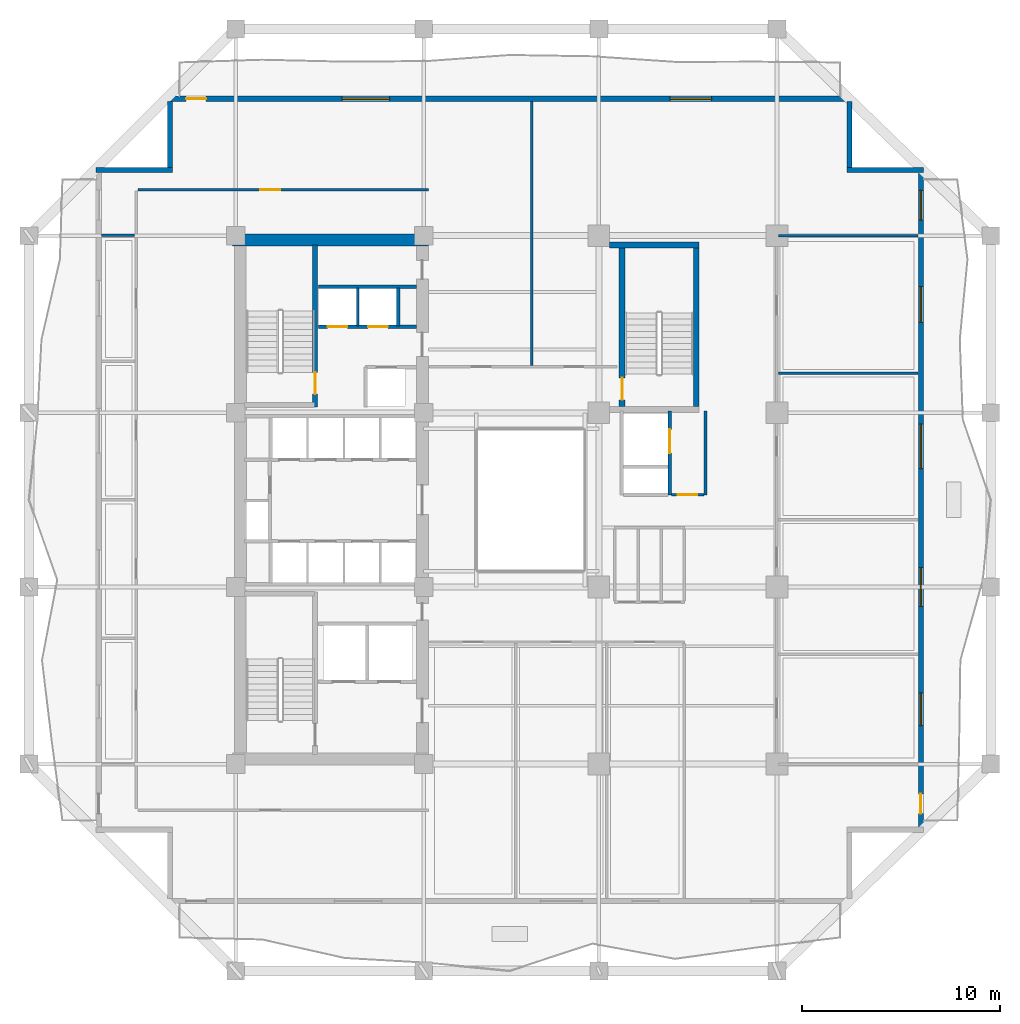
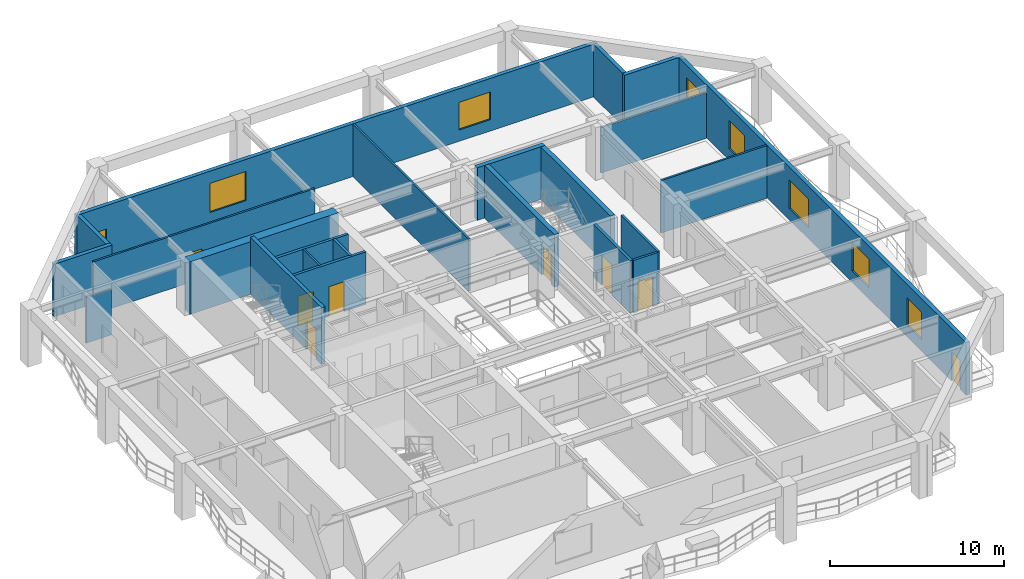
# One storey, part 5 of 11: 23 walls, 9 doors, 7 windows, 16 openings.
"""IFC4 building model written with IfcOpenShell, lengths in metres."""

from ifc_helpers import new_model, si_unit, direction, frame, frame_2d, origin, place, context, subcontext, project, spatial, rectangle, extrude, material, layer, layer_set, type_object, element, fill, save


model = new_model("IFC4")

# Units and contexts
model_context = context("Model", 3, precision=1e-05, world=origin(), true_north=direction((0.0, 1.0)))
body_context = subcontext(model_context, "Body", "Model", "MODEL_VIEW")
ifc_project = project(units=[si_unit("LENGTHUNIT", "METRE"), si_unit("AREAUNIT", "SQUARE_METRE"), si_unit("VOLUMEUNIT", "CUBIC_METRE"), si_unit("PLANEANGLEUNIT", "RADIAN"), si_unit("MASSUNIT", "GRAM", prefix="KILO")], contexts=[model_context])

# Site, building, storey
site_placement = place(None, origin())
site = spatial("IfcSite", under=ifc_project, at=site_placement, CompositionType="ELEMENT")
building_placement = place(site_placement, origin())
building = spatial("IfcBuilding", under=site, at=building_placement, Name="Kundavana Baori Tower", CompositionType="ELEMENT")
storey_placement = place(building_placement, frame((0.0, 0.0, 90.0)))
storey = spatial("IfcBuildingStorey", under=building, at=storey_placement, Name="L21", CompositionType="ELEMENT", Elevation=90.0)

# Wall, opening, door
ifc_material_1 = material(Name="Concrete C50/60", Category="concrete")
ifc_layer_1 = layer(ifc_material_1, 0.39990234375, Name="WL-CORE-400")
ifc_layer_set_1 = layer_set([ifc_layer_1], Name="Concrete C50/60")
wall_type_1 = type_object("IfcWallType", Name="WL-CORE-400", PredefinedType="SHEAR", material=ifc_layer_set_1)
wall_1_placement = place(storey_placement, frame((19.4599609375, 33.300048828125, 0.0), z_axis=(0.0, 0.0, 1.0), x_axis=(0.0, 1.0, 0.0)))
wall_1 = element("IfcWall", 1, at=wall_1_placement, inside=storey, type_object=wall_type_1, Name="WL-L21-ST2-E", PredefinedType="SHEAR", context=body_context, shape_type="SweptSolid", body=[
    extrude(rectangle(XDim=8.179931640625, YDim=0.239990234375, at=frame_2d((4.08984375, 0.0))), origin(), (0.0, 0.0, 1.0), 4.0),
])
opening_1_placement = place(wall_1_placement, frame((0.64990234375, 0.0, 0.0)))
opening_1 = element("IfcOpeningElement", 2, at=opening_1_placement, cuts=wall_1, Name="Opening FD-110", PredefinedType="OPENING", context=body_context, shape_type="SweptSolid", body=[
    extrude(rectangle(XDim=1.10009765625, YDim=2.10009765625, at=frame_2d((0.550048828125, 1.050048828125))), frame((0.0, 0.1298828125, 0.0), z_axis=(0.0, -1.0, 0.0), x_axis=(1.0, 0.0, 0.0)), (0.0, 0.0, 1.0), 0.260009765625),
])
ifc_material_2 = material(Name="Galvanised Steel Fire-Rated Door Leaf", Category="steel")
door_type_1 = type_object("IfcDoorType", Name="DR-FD120-1100", OperationType="NOTDEFINED", PredefinedType="DOOR", material=ifc_material_2)
door_1_placement = place(opening_1_placement, origin())
door_1 = element("IfcDoor", 3, at=door_1_placement, inside=storey, type_object=door_type_1, Name="DR-L21-ST2", OperationType="SINGLE_SWING_RIGHT", OverallHeight=2.10009765625, OverallWidth=1.10009765625, PredefinedType="DOOR", context=body_context, shape_type="SweptSolid", body=[
    extrude(rectangle(XDim=1.10009765625, YDim=2.10009765625, at=frame_2d((0.550048828125, 1.050048828125))), frame((0.0, 0.02490234375, 0.0), z_axis=(0.0, -1.0, 0.0), x_axis=(1.0, 0.0, 0.0)), (0.0, 0.0, 1.0), 0.050048828125),
])
fill(opening_1, door_1)

# Wall
ifc_material_3 = material(Name="Concrete C60/75", Category="concrete")
ifc_layer_2 = layer(ifc_material_3, 0.60009765625, Name="WL-CORE-600")
ifc_layer_set_2 = layer_set([ifc_layer_2], Name="Concrete C60/75")
wall_type_2 = type_object("IfcWallType", Name="WL-CORE-600", PredefinedType="SHEAR", material=ifc_layer_set_2)
wall_2_placement = place(storey_placement, frame((15.300048828125, 41.739990234375, 0.0), z_axis=(0.0, 0.0, 1.0), x_axis=(1.0, 0.0, 0.0)))
element("IfcWall", 4, at=wall_2_placement, inside=storey, type_object=wall_type_2, Name="L21 Offset Core North Shear Wall", PredefinedType="SHEAR", context=body_context, shape_type="SweptSolid", body=[
    extrude(rectangle(XDim=9.8798828125, YDim=0.60009765625, at=frame_2d((4.93994140625, 0.0))), origin(), (0.0, 0.0, 1.0), 3.699951171875),
])

# Wall, openings, door, windows
ifc_material_4 = material(Name="Kiln-Fired Terracotta Brick-Slip Masonry on Concrete C40/50", Category="masonry")
ifc_layer_3 = layer(ifc_material_4, 0.260009765625, Name="WL-EXT-BRK-260")
ifc_layer_set_3 = layer_set([ifc_layer_3], Name="Kiln-Fired Terracotta Brick-Slip Masonry on Concrete C40/50")
wall_type_3 = type_object("IfcWallType", Name="WL-EXT-BRK-260", PredefinedType="SOLIDWALL", material=ifc_layer_set_3)
wall_3_placement = place(storey_placement, frame((50.070068359375, 12.06005859375, 0.0), z_axis=(0.0, 0.0, 1.0), x_axis=(0.0, 1.0, 0.0)))
wall_3 = element("IfcWall", 5, at=wall_3_placement, inside=storey, type_object=wall_type_3, Name="L21 Exterior Insulated Facade Wall 04", PredefinedType="SOLIDWALL", context=body_context, shape_type="SweptSolid", body=[
    extrude(rectangle(XDim=33.079833984375, YDim=0.260009765625, at=frame_2d((16.5400390625, 0.0))), origin(), (0.0, 0.0, 1.0), 3.699951171875),
])
opening_2_placement = place(wall_3_placement, frame((0.68994140625, 0.0, 0.0)))
opening_2 = element("IfcOpeningElement", 6, at=opening_2_placement, cuts=wall_3, Name="Opening BD-1", PredefinedType="OPENING", context=body_context, shape_type="SweptSolid", body=[
    extrude(rectangle(XDim=1.0, YDim=2.050048828125, at=frame_2d((0.5, 1.02490234375))), frame((0.0, 0.14013671875, 0.0), z_axis=(0.0, -1.0, 0.0), x_axis=(1.0, 0.0, 0.0)), (0.0, 0.0, 1.0), 0.280029296875),
])
opening_3_placement = place(wall_3_placement, frame((5.139892578125, 0.0, 0.800048828125)))
opening_3 = element("IfcOpeningElement", 7, at=opening_3_placement, cuts=wall_3, Name="Opening W-08", PredefinedType="OPENING", context=body_context, shape_type="SweptSolid", body=[
    extrude(rectangle(XDim=1.64990234375, YDim=1.949951171875, at=frame_2d((0.824951171875, 0.97509765625))), frame((0.0, 0.14013671875, 0.0), z_axis=(0.0, -1.0, 0.0), x_axis=(1.0, 0.0, 0.0)), (0.0, 0.0, 1.0), 0.280029296875),
])
opening_4_placement = place(wall_3_placement, frame((11.1650390625, 0.0, 0.800048828125)))
opening_4 = element("IfcOpeningElement", 8, at=opening_4_placement, cuts=wall_3, Name="Opening W-09", PredefinedType="OPENING", context=body_context, shape_type="SweptSolid", body=[
    extrude(rectangle(XDim=1.949951171875, YDim=2.0, at=frame_2d((0.97509765625, 1.0))), frame((0.0, 0.14013671875, 0.0), z_axis=(0.0, -1.0, 0.0), x_axis=(1.0, 0.0, 0.0)), (0.0, 0.0, 1.0), 0.280029296875),
])
opening_5_placement = place(wall_3_placement, frame((18.114990234375, 0.0, 0.800048828125)))
opening_5 = element("IfcOpeningElement", 9, at=opening_5_placement, cuts=wall_3, Name="Opening W-10", PredefinedType="OPENING", context=body_context, shape_type="SweptSolid", body=[
    extrude(rectangle(XDim=2.25, YDim=2.0, at=frame_2d((1.125, 1.0))), frame((0.0, 0.14013671875, 0.0), z_axis=(0.0, -1.0, 0.0), x_axis=(1.0, 0.0, 0.0)), (0.0, 0.0, 1.0), 0.280029296875),
])
opening_6_placement = place(wall_3_placement, frame((25.514892578125, 0.0, 0.800048828125)))
opening_6 = element("IfcOpeningElement", 10, at=opening_6_placement, cuts=wall_3, Name="Opening W-01", PredefinedType="OPENING", context=body_context, shape_type="SweptSolid", body=[
    extrude(rectangle(XDim=1.800048828125, YDim=2.0, at=frame_2d((0.89990234375, 1.0))), frame((0.0, 0.14013671875, 0.0), z_axis=(0.0, -1.0, 0.0), x_axis=(1.0, 0.0, 0.0)), (0.0, 0.0, 1.0), 0.280029296875),
])
opening_7_placement = place(wall_3_placement, frame((30.679931640625, 0.0, 0.800048828125)))
opening_7 = element("IfcOpeningElement", 11, at=opening_7_placement, cuts=wall_3, Name="Opening W-02", PredefinedType="OPENING", context=body_context, shape_type="SweptSolid", body=[
    extrude(rectangle(XDim=1.5, YDim=2.0, at=frame_2d((0.75, 1.0))), frame((0.0, 0.14013671875, 0.0), z_axis=(0.0, -1.0, 0.0), x_axis=(1.0, 0.0, 0.0)), (0.0, 0.0, 1.0), 0.280029296875),
])
ifc_material_5 = material(Name="Architectural Patinated Bronze Metalwork")
door_type_2 = type_object("IfcDoorType", Name="DR-EXT-LOG-1000", OperationType="NOTDEFINED", PredefinedType="DOOR", material=ifc_material_5)
door_2_placement = place(opening_2_placement, frame((1.0, 0.0, 0.0), z_axis=(0.0, 0.0, 1.0), x_axis=(-1.0, 0.0, 0.0)))
door_2 = element("IfcDoor", 12, at=door_2_placement, inside=storey, type_object=door_type_2, Name="L21 Loggia Balcony Access Door E", OperationType="SINGLE_SWING_RIGHT", OverallHeight=2.050048828125, OverallWidth=1.0, PredefinedType="DOOR", context=body_context, shape_type="SweptSolid", body=[
    extrude(rectangle(XDim=1.0, YDim=2.050048828125, at=frame_2d((0.5, 1.02490234375))), frame((0.0, 0.02490234375, 0.0), z_axis=(0.0, -1.0, 0.0), x_axis=(1.0, 0.0, 0.0)), (0.0, 0.0, 1.0), 0.050048828125),
])
fill(opening_2, door_2)
ifc_material_6 = material(Name="Double-Glazed Solar-Control Low-E Insulated Glass", Category="glass")
window_type_1 = type_object("IfcWindowType", Name="WIN-LOG-1500x2000", PartitioningType="SINGLE_PANEL", PredefinedType="WINDOW", material=ifc_material_6)
window_1_placement = place(opening_7_placement, origin())
window_1 = element("IfcWindow", 13, at=window_1_placement, inside=storey, type_object=window_type_1, Name="L21 Recessed Loggia Window E-6", OverallHeight=2.0, OverallWidth=1.5, PartitioningType="SINGLE_PANEL", PredefinedType="WINDOW", context=body_context, shape_type="SweptSolid", body=[
    extrude(rectangle(XDim=1.5, YDim=2.0, at=frame_2d((0.75, 1.0))), frame((0.0, 0.030029296875, 0.0), z_axis=(0.0, -1.0, 0.0), x_axis=(1.0, 0.0, 0.0)), (0.0, 0.0, 1.0), 0.06005859375),
])
fill(opening_7, window_1)
ifc_material_7 = material(Name="Double-Glazed Solar-Control Low-E Insulated Glass", Category="glass")
window_type_2 = type_object("IfcWindowType", Name="WIN-LOG-1650x1950", PartitioningType="SINGLE_PANEL", PredefinedType="WINDOW", material=ifc_material_7)
window_2_placement = place(opening_3_placement, origin())
window_2 = element("IfcWindow", 14, at=window_2_placement, inside=storey, type_object=window_type_2, Name="L21 Recessed Loggia Window E-2", OverallHeight=1.949951171875, OverallWidth=1.64990234375, PartitioningType="SINGLE_PANEL", PredefinedType="WINDOW", context=body_context, shape_type="SweptSolid", body=[
    extrude(rectangle(XDim=1.64990234375, YDim=1.949951171875, at=frame_2d((0.824951171875, 0.97509765625))), frame((0.0, 0.030029296875, 0.0), z_axis=(0.0, -1.0, 0.0), x_axis=(1.0, 0.0, 0.0)), (0.0, 0.0, 1.0), 0.06005859375),
])
fill(opening_3, window_2)
ifc_material_8 = material(Name="Double-Glazed Solar-Control Low-E Insulated Glass", Category="glass")
window_type_3 = type_object("IfcWindowType", Name="WIN-LOG-1800x2000", PartitioningType="SINGLE_PANEL", PredefinedType="WINDOW", material=ifc_material_8)
window_3_placement = place(opening_6_placement, origin())
window_3 = element("IfcWindow", 15, at=window_3_placement, inside=storey, type_object=window_type_3, Name="L21 Recessed Loggia Window E-5", OverallHeight=2.0, OverallWidth=1.800048828125, PartitioningType="SINGLE_PANEL", PredefinedType="WINDOW", context=body_context, shape_type="SweptSolid", body=[
    extrude(rectangle(XDim=1.800048828125, YDim=2.0, at=frame_2d((0.89990234375, 1.0))), frame((0.0, 0.030029296875, 0.0), z_axis=(0.0, -1.0, 0.0), x_axis=(1.0, 0.0, 0.0)), (0.0, 0.0, 1.0), 0.06005859375),
])
fill(opening_6, window_3)
ifc_material_9 = material(Name="Double-Glazed Solar-Control Low-E Insulated Glass", Category="glass")
window_type_4 = type_object("IfcWindowType", Name="WIN-LOG-1950x2000", PartitioningType="SINGLE_PANEL", PredefinedType="WINDOW", material=ifc_material_9)
window_4_placement = place(opening_4_placement, origin())
window_4 = element("IfcWindow", 16, at=window_4_placement, inside=storey, type_object=window_type_4, Name="L21 Recessed Loggia Window E-3", OverallHeight=2.0, OverallWidth=1.949951171875, PartitioningType="SINGLE_PANEL", PredefinedType="WINDOW", context=body_context, shape_type="SweptSolid", body=[
    extrude(rectangle(XDim=1.949951171875, YDim=2.0, at=frame_2d((0.97509765625, 1.0))), frame((0.0, 0.030029296875, 0.0), z_axis=(0.0, -1.0, 0.0), x_axis=(1.0, 0.0, 0.0)), (0.0, 0.0, 1.0), 0.06005859375),
])
fill(opening_4, window_4)
ifc_material_10 = material(Name="Double-Glazed Solar-Control Low-E Insulated Glass", Category="glass")
window_type_5 = type_object("IfcWindowType", Name="WIN-LOG-2250x2000", PartitioningType="SINGLE_PANEL", PredefinedType="WINDOW", material=ifc_material_10)
window_5_placement = place(opening_5_placement, origin())
window_5 = element("IfcWindow", 17, at=window_5_placement, inside=storey, type_object=window_type_5, Name="L21 Recessed Loggia Window E-4", OverallHeight=2.0, OverallWidth=2.25, PartitioningType="SINGLE_PANEL", PredefinedType="WINDOW", context=body_context, shape_type="SweptSolid", body=[
    extrude(rectangle(XDim=2.25, YDim=2.0, at=frame_2d((1.125, 1.0))), frame((0.0, 0.030029296875, 0.0), z_axis=(0.0, -1.0, 0.0), x_axis=(1.0, 0.0, 0.0)), (0.0, 0.0, 1.0), 0.06005859375),
])
fill(opening_5, window_5)

# Walls
wall_4_placement = place(storey_placement, frame((50.199951171875, 45.27001953125, 0.0), z_axis=(0.0, 0.0, 1.0), x_axis=(-1.0, 0.0, 0.0)))
element("IfcWall", 18, at=wall_4_placement, inside=storey, type_object=wall_type_3, Name="L21 Exterior Insulated Facade Wall 05", PredefinedType="SOLIDWALL", context=body_context, shape_type="SweptSolid", body=[
    extrude(rectangle(XDim=3.85986328125, YDim=0.260009765625, at=frame_2d((1.929931640625, 0.0))), origin(), (0.0, 0.0, 1.0), 3.699951171875),
])
wall_5_placement = place(storey_placement, frame((46.469970703125, 45.39990234375, 0.0), z_axis=(0.0, 0.0, 1.0), x_axis=(0.0, 1.0, 0.0)))
element("IfcWall", 19, at=wall_5_placement, inside=storey, type_object=wall_type_3, Name="L21 Exterior Insulated Facade Wall 06", PredefinedType="SOLIDWALL", context=body_context, shape_type="SweptSolid", body=[
    extrude(rectangle(XDim=3.340087890625, YDim=0.260009765625, at=frame_2d((1.669921875, 0.0))), origin(), (0.0, 0.0, 1.0), 3.699951171875),
])

# Wall, openings, door, windows
wall_6_placement = place(storey_placement, frame((46.60009765625, 48.8701171875, 0.0), z_axis=(0.0, 0.0, 1.0), x_axis=(-1.0, 0.0, 0.0)))
wall_6 = element("IfcWall", 20, at=wall_6_placement, inside=storey, type_object=wall_type_3, Name="L21 Exterior Insulated Facade Wall 07", PredefinedType="SOLIDWALL", context=body_context, shape_type="SweptSolid", body=[
    extrude(rectangle(XDim=34.60009765625, YDim=0.260009765625, at=frame_2d((17.300048828125, 0.0))), origin(), (0.0, 0.0, 1.0), 3.699951171875),
])
opening_8_placement = place(wall_6_placement, frame((32.64990234375, 0.0, 0.0)))
opening_8 = element("IfcOpeningElement", 21, at=opening_8_placement, cuts=wall_6, Name="Opening BD-1", PredefinedType="OPENING", context=body_context, shape_type="SweptSolid", body=[
    extrude(rectangle(XDim=1.0, YDim=2.050048828125, at=frame_2d((0.5, 1.02490234375))), frame((0.0, 0.14013671875, 0.0), z_axis=(0.0, -1.0, 0.0), x_axis=(1.0, 0.0, 0.0)), (0.0, 0.0, 1.0), 0.280029296875),
])
opening_9_placement = place(wall_6_placement, frame((23.3701171875, 0.0, 0.800048828125)))
opening_9 = element("IfcOpeningElement", 22, at=opening_9_placement, cuts=wall_6, Name="Opening W-04", PredefinedType="OPENING", context=body_context, shape_type="SweptSolid", body=[
    extrude(rectangle(XDim=2.39990234375, YDim=2.050048828125, at=frame_2d((1.199951171875, 1.02490234375))), frame((0.0, 0.14013671875, 0.0), z_axis=(0.0, -1.0, 0.0), x_axis=(1.0, 0.0, 0.0)), (0.0, 0.0, 1.0), 0.280029296875),
])
opening_10_placement = place(wall_6_placement, frame((7.10498046875, 0.0, 0.800048828125)))
opening_10 = element("IfcOpeningElement", 23, at=opening_10_placement, cuts=wall_6, Name="Opening W-05", PredefinedType="OPENING", context=body_context, shape_type="SweptSolid", body=[
    extrude(rectangle(XDim=2.10009765625, YDim=1.949951171875, at=frame_2d((1.050048828125, 0.97509765625))), frame((0.0, 0.14013671875, 0.0), z_axis=(0.0, -1.0, 0.0), x_axis=(1.0, 0.0, 0.0)), (0.0, 0.0, 1.0), 0.280029296875),
])
door_3_placement = place(opening_8_placement, frame((1.0, 0.0, 0.0), z_axis=(0.0, 0.0, 1.0), x_axis=(-1.0, 0.0, 0.0)))
door_3 = element("IfcDoor", 24, at=door_3_placement, inside=storey, type_object=door_type_2, Name="L21 Loggia Balcony Access Door N", OperationType="SINGLE_SWING_LEFT", OverallHeight=2.050048828125, OverallWidth=1.0, PredefinedType="DOOR", context=body_context, shape_type="SweptSolid", body=[
    extrude(rectangle(XDim=1.0, YDim=2.050048828125, at=frame_2d((0.5, 1.02490234375))), frame((0.0, 0.02490234375, 0.0), z_axis=(0.0, -1.0, 0.0), x_axis=(1.0, 0.0, 0.0)), (0.0, 0.0, 1.0), 0.050048828125),
])
fill(opening_8, door_3)
ifc_material_11 = material(Name="Double-Glazed Solar-Control Low-E Insulated Glass", Category="glass")
window_type_6 = type_object("IfcWindowType", Name="WIN-LOG-2100x1950", PartitioningType="SINGLE_PANEL", PredefinedType="WINDOW", material=ifc_material_11)
window_6_placement = place(opening_10_placement, origin())
window_6 = element("IfcWindow", 25, at=window_6_placement, inside=storey, type_object=window_type_6, Name="L21 Recessed Loggia Window N-2", OverallHeight=1.949951171875, OverallWidth=2.10009765625, PartitioningType="SINGLE_PANEL", PredefinedType="WINDOW", context=body_context, shape_type="SweptSolid", body=[
    extrude(rectangle(XDim=2.10009765625, YDim=1.949951171875, at=frame_2d((1.050048828125, 0.97509765625))), frame((0.0, 0.030029296875, 0.0), z_axis=(0.0, -1.0, 0.0), x_axis=(1.0, 0.0, 0.0)), (0.0, 0.0, 1.0), 0.06005859375),
])
fill(opening_10, window_6)
ifc_material_12 = material(Name="Double-Glazed Solar-Control Low-E Insulated Glass", Category="glass")
window_type_7 = type_object("IfcWindowType", Name="WIN-LOG-2400x2050", PartitioningType="SINGLE_PANEL", PredefinedType="WINDOW", material=ifc_material_12)
window_7_placement = place(opening_9_placement, origin())
window_7 = element("IfcWindow", 26, at=window_7_placement, inside=storey, type_object=window_type_7, Name="L21 Recessed Loggia Window N-1", OverallHeight=2.050048828125, OverallWidth=2.39990234375, PartitioningType="SINGLE_PANEL", PredefinedType="WINDOW", context=body_context, shape_type="SweptSolid", body=[
    extrude(rectangle(XDim=2.39990234375, YDim=2.050048828125, at=frame_2d((1.199951171875, 1.02490234375))), frame((0.0, 0.030029296875, 0.0), z_axis=(0.0, -1.0, 0.0), x_axis=(1.0, 0.0, 0.0)), (0.0, 0.0, 1.0), 0.06005859375),
])
fill(opening_9, window_7)

# Walls
wall_7_placement = place(storey_placement, frame((12.1298828125, 48.739990234375, 0.0), z_axis=(0.0, 0.0, 1.0), x_axis=(0.0, -1.0, 0.0)))
element("IfcWall", 27, at=wall_7_placement, inside=storey, type_object=wall_type_3, Name="L21 Exterior Insulated Facade Wall 08", PredefinedType="SOLIDWALL", context=body_context, shape_type="SweptSolid", body=[
    extrude(rectangle(XDim=3.340087890625, YDim=0.260009765625, at=frame_2d((1.669921875, 0.0))), origin(), (0.0, 0.0, 1.0), 3.699951171875),
])
wall_8_placement = place(storey_placement, frame((12.260009765625, 45.27001953125, 0.0), z_axis=(0.0, 0.0, 1.0), x_axis=(-1.0, 0.0, 0.0)))
element("IfcWall", 28, at=wall_8_placement, inside=storey, type_object=wall_type_3, Name="L21 Exterior Insulated Facade Wall 09", PredefinedType="SOLIDWALL", context=body_context, shape_type="SweptSolid", body=[
    extrude(rectangle(XDim=3.860107421875, YDim=0.260009765625, at=frame_2d((1.93017578125, 0.0))), origin(), (0.0, 0.0, 1.0), 3.699951171875),
])
ifc_material_13 = material(Name="Acoustic Gypsum Plasterboard on Galvanised Steel Studs", Category="steel")
ifc_layer_4 = layer(ifc_material_13, 0.1201171875, Name="WL-PART-120")
ifc_layer_set_4 = layer_set([ifc_layer_4], Name="Acoustic Gypsum Plasterboard on Galvanised Steel Studs")
wall_type_4 = type_object("IfcWallType", Name="WL-PART-120", PredefinedType="PARTITIONING", material=ifc_layer_set_4)
wall_9_placement = place(storey_placement, frame((21.6201171875, 37.39990234375, 0.0), z_axis=(0.0, 0.0, 1.0), x_axis=(0.0, 1.0, 0.0)))
element("IfcWall", 29, at=wall_9_placement, inside=storey, type_object=wall_type_4, Name="WL-L21-HR-DIV1", PredefinedType="PARTITIONING", context=body_context, shape_type="SweptSolid", body=[
    extrude(rectangle(XDim=1.900146484375, YDim=0.1201171875, at=frame_2d((0.9501953125, 0.0))), origin(), (0.0, 0.0, 1.0), 3.699951171875),
])
ifc_material_14 = material(Name="Fire-Rated Gypsum Drywall on Galvanised Steel Studs", Category="steel")
ifc_layer_5 = layer(ifc_material_14, 0.14990234375, Name="WL-PART-150")
ifc_layer_set_5 = layer_set([ifc_layer_5], Name="Fire-Rated Gypsum Drywall on Galvanised Steel Studs")
wall_type_5 = type_object("IfcWallType", Name="WL-PART-150", PredefinedType="PARTITIONING", material=ifc_layer_set_5)
wall_10_placement = place(storey_placement, frame((39.199951171875, 28.860107421875, 0.0), z_axis=(0.0, 0.0, 1.0), x_axis=(0.0, 1.0, 0.0)))
element("IfcWall", 30, at=wall_10_placement, inside=storey, type_object=wall_type_5, Name="WL-L21-SVLOB-E", PredefinedType="PARTITIONING", context=body_context, shape_type="SweptSolid", body=[
    extrude(rectangle(XDim=4.219970703125, YDim=0.14990234375, at=frame_2d((2.10986328125, 0.0))), origin(), (0.0, 0.0, 1.0), 3.699951171875),
])

# Wall, opening, door
wall_11_placement = place(storey_placement, frame((37.47998046875, 28.860107421875, 0.0), z_axis=(0.0, 0.0, 1.0), x_axis=(1.0, 0.0, 0.0)))
wall_11 = element("IfcWall", 31, at=wall_11_placement, inside=storey, type_object=wall_type_5, Name="WL-L21-SVLOB-S", PredefinedType="PARTITIONING", context=body_context, shape_type="SweptSolid", body=[
    extrude(rectangle(XDim=1.64013671875, YDim=0.14990234375, at=frame_2d((0.820068359375, 0.0))), origin(), (0.0, 0.0, 1.0), 3.699951171875),
])
opening_11_placement = place(wall_11_placement, frame((0.300048828125, 0.0, 0.0)))
opening_11 = element("IfcOpeningElement", 32, at=opening_11_placement, cuts=wall_11, Name="Opening FD-100", PredefinedType="OPENING", context=body_context, shape_type="SweptSolid", body=[
    extrude(rectangle(XDim=1.0, YDim=2.10009765625, at=frame_2d((0.5, 1.050048828125))), frame((0.0, 0.0849609375, 0.0), z_axis=(0.0, -1.0, 0.0), x_axis=(1.0, 0.0, 0.0)), (0.0, 0.0, 1.0), 0.169921875),
])
ifc_material_15 = material(Name="Engineered Teak Fire-Rated Timber Door Leaf", Category="wood")
door_type_3 = type_object("IfcDoorType", Name="DR-FD60-1000", OperationType="NOTDEFINED", PredefinedType="DOOR", material=ifc_material_15)
door_4_placement = place(opening_11_placement, origin())
door_4 = element("IfcDoor", 33, at=door_4_placement, inside=storey, type_object=door_type_3, Name="DR-L21-SVLOB-OUT", OperationType="SINGLE_SWING_LEFT", OverallHeight=2.10009765625, OverallWidth=1.0, PredefinedType="DOOR", context=body_context, shape_type="SweptSolid", body=[
    extrude(rectangle(XDim=1.0, YDim=2.10009765625, at=frame_2d((0.5, 1.050048828125))), frame((0.0, 0.02490234375, 0.0), z_axis=(0.0, -1.0, 0.0), x_axis=(1.0, 0.0, 0.0)), (0.0, 0.0, 1.0), 0.050048828125),
])
fill(opening_11, door_4)

# Wall, openings, doors
ifc_material_16 = material(Name="Autoclaved Aerated Concrete Blockwork Masonry", Category="masonry")
ifc_layer_6 = layer(ifc_material_16, 0.179931640625, Name="WL-SHAFT-180")
ifc_layer_set_6 = layer_set([ifc_layer_6], Name="Autoclaved Aerated Concrete Blockwork Masonry")
wall_type_6 = type_object("IfcWallType", Name="WL-SHAFT-180", PredefinedType="SOLIDWALL", material=ifc_layer_set_6)
wall_12_placement = place(storey_placement, frame((19.639892578125, 37.340087890625, 0.0), z_axis=(0.0, 0.0, 1.0), x_axis=(1.0, 0.0, 0.0)))
wall_12 = element("IfcWall", 34, at=wall_12_placement, inside=storey, type_object=wall_type_6, Name="WL-L21-HRLOB-N", PredefinedType="SOLIDWALL", context=body_context, shape_type="SweptSolid", body=[
    extrude(rectangle(XDim=4.940185546875, YDim=0.179931640625, at=frame_2d((2.47021484375, 0.0))), origin(), (0.0, 0.0, 1.0), 3.699951171875),
])
opening_12_placement = place(wall_12_placement, frame((0.449951171875, 0.0, 0.0)))
opening_12 = element("IfcOpeningElement", 35, at=opening_12_placement, cuts=wall_12, Name="Opening LD-100", PredefinedType="OPENING", context=body_context, shape_type="SweptSolid", body=[
    extrude(rectangle(XDim=1.0, YDim=2.10009765625, at=frame_2d((0.5, 1.050048828125))), frame((0.0, 0.10009765625, 0.0), z_axis=(0.0, -1.0, 0.0), x_axis=(1.0, 0.0, 0.0)), (0.0, 0.0, 1.0), 0.199951171875),
])
opening_13_placement = place(wall_12_placement, frame((2.5, 0.0, 0.0)))
opening_13 = element("IfcOpeningElement", 36, at=opening_13_placement, cuts=wall_12, Name="Opening LD-100", PredefinedType="OPENING", context=body_context, shape_type="SweptSolid", body=[
    extrude(rectangle(XDim=1.0, YDim=2.10009765625, at=frame_2d((0.5, 1.050048828125))), frame((0.0, 0.10009765625, 0.0), z_axis=(0.0, -1.0, 0.0), x_axis=(1.0, 0.0, 0.0)), (0.0, 0.0, 1.0), 0.199951171875),
])
ifc_material_17 = material(Name="Galvanised Steel Fire-Rated Door Leaf", Category="steel")
door_type_4 = type_object("IfcDoorType", Name="DR-SLIDE-LD1000", OperationType="NOTDEFINED", PredefinedType="DOOR", material=ifc_material_17)
door_5_placement = place(opening_12_placement, frame((1.0, 0.0, 0.0), z_axis=(0.0, 0.0, 1.0), x_axis=(-1.0, 0.0, 0.0)))
door_5 = element("IfcDoor", 37, at=door_5_placement, inside=storey, type_object=door_type_4, Name="DR-L21-LD-LP09", OperationType="DOUBLE_DOOR_SLIDING", OverallHeight=2.10009765625, OverallWidth=1.0, PredefinedType="DOOR", context=body_context, shape_type="SweptSolid", body=[
    extrude(rectangle(XDim=1.0, YDim=2.10009765625, at=frame_2d((0.5, 1.050048828125))), frame((0.0, 0.02490234375, 0.0), z_axis=(0.0, -1.0, 0.0), x_axis=(1.0, 0.0, 0.0)), (0.0, 0.0, 1.0), 0.050048828125),
])
fill(opening_12, door_5)
door_6_placement = place(opening_13_placement, frame((1.0, 0.0, 0.0), z_axis=(0.0, 0.0, 1.0), x_axis=(-1.0, 0.0, 0.0)))
door_6 = element("IfcDoor", 38, at=door_6_placement, inside=storey, type_object=door_type_4, Name="DR-L21-LD-LP10", OperationType="DOUBLE_DOOR_SLIDING", OverallHeight=2.10009765625, OverallWidth=1.0, PredefinedType="DOOR", context=body_context, shape_type="SweptSolid", body=[
    extrude(rectangle(XDim=1.0, YDim=2.10009765625, at=frame_2d((0.5, 1.050048828125))), frame((0.0, 0.02490234375, 0.0), z_axis=(0.0, -1.0, 0.0), x_axis=(1.0, 0.0, 0.0)), (0.0, 0.0, 1.0), 0.050048828125),
])
fill(opening_13, door_6)

# Walls
wall_13_placement = place(storey_placement, frame((19.639892578125, 39.360107421875, 0.0), z_axis=(0.0, 0.0, 1.0), x_axis=(1.0, 0.0, 0.0)))
element("IfcWall", 39, at=wall_13_placement, inside=storey, type_object=wall_type_6, Name="WL-L21-HRLOB-TOP", PredefinedType="SOLIDWALL", context=body_context, shape_type="SweptSolid", body=[
    extrude(rectangle(XDim=4.940185546875, YDim=0.179931640625, at=frame_2d((2.47021484375, 0.0))), origin(), (0.0, 0.0, 1.0), 3.699951171875),
])
wall_14_placement = place(storey_placement, frame((23.659912109375, 37.39990234375, 0.0), z_axis=(0.0, 0.0, 1.0), x_axis=(0.0, 1.0, 0.0)))
element("IfcWall", 40, at=wall_14_placement, inside=storey, type_object=wall_type_6, Name="WL-L21-HR-DIV2", PredefinedType="SOLIDWALL", context=body_context, shape_type="SweptSolid", body=[
    extrude(rectangle(XDim=1.900146484375, YDim=0.179931640625, at=frame_2d((0.9501953125, 0.0))), origin(), (0.0, 0.0, 1.0), 3.699951171875),
])

# Wall, opening, door
wall_15_placement = place(storey_placement, frame((37.389892578125, 28.860107421875, 0.0), z_axis=(0.0, 0.0, 1.0), x_axis=(0.0, 1.0, 0.0)))
wall_15 = element("IfcWall", 41, at=wall_15_placement, inside=storey, type_object=wall_type_6, Name="WL-L21-SVL-E", PredefinedType="SOLIDWALL", context=body_context, shape_type="SweptSolid", body=[
    extrude(rectangle(XDim=4.219970703125, YDim=0.179931640625, at=frame_2d((2.10986328125, 0.0))), origin(), (0.0, 0.0, 1.0), 3.699951171875),
])
opening_14_placement = place(wall_15_placement, frame((2.10009765625, 0.0, 0.0)))
opening_14 = element("IfcOpeningElement", 42, at=opening_14_placement, cuts=wall_15, Name="Opening LD-120", PredefinedType="OPENING", context=body_context, shape_type="SweptSolid", body=[
    extrude(rectangle(XDim=1.199951171875, YDim=2.1201171875, at=frame_2d((0.60009765625, 1.06005859375))), frame((0.0, 0.10009765625, 0.0), z_axis=(0.0, -1.0, 0.0), x_axis=(1.0, 0.0, 0.0)), (0.0, 0.0, 1.0), 0.199951171875),
])
ifc_material_18 = material(Name="Galvanised Steel Fire-Rated Door Leaf", Category="steel")
door_type_5 = type_object("IfcDoorType", Name="DR-SLIDE-LD1200", OperationType="NOTDEFINED", PredefinedType="DOOR", material=ifc_material_18)
door_7_placement = place(opening_14_placement, frame((1.199951171875, 0.0, 0.0), z_axis=(0.0, 0.0, 1.0), x_axis=(-1.0, 0.0, 0.0)))
door_7 = element("IfcDoor", 43, at=door_7_placement, inside=storey, type_object=door_type_5, Name="DR-L21-LD-SVL1", OperationType="DOUBLE_DOOR_SLIDING", OverallHeight=2.1201171875, OverallWidth=1.199951171875, PredefinedType="DOOR", context=body_context, shape_type="SweptSolid", body=[
    extrude(rectangle(XDim=1.199951171875, YDim=2.1201171875, at=frame_2d((0.60009765625, 1.06005859375))), frame((0.0, 0.02490234375, 0.0), z_axis=(0.0, -1.0, 0.0), x_axis=(1.0, 0.0, 0.0)), (0.0, 0.0, 1.0), 0.050048828125),
])
fill(opening_14, door_7)

# Wall
ifc_material_19 = material(Name="Concrete C50/60", Category="concrete")
ifc_layer_7 = layer(ifc_material_19, 0.300048828125, Name="WL-ST3-300")
ifc_layer_set_7 = layer_set([ifc_layer_7], Name="Concrete C50/60")
wall_type_7 = type_object("IfcWallType", Name="WL-ST3-300", PredefinedType="SHEAR", material=ifc_layer_set_7)
wall_16_placement = place(storey_placement, frame((34.35009765625, 41.489990234375, 0.0), z_axis=(0.0, 0.0, 1.0), x_axis=(1.0, 0.0, 0.0)))
element("IfcWall", 44, at=wall_16_placement, inside=storey, type_object=wall_type_7, Name="L21 Stair ST3 North Shear Wall", PredefinedType="SHEAR", context=body_context, shape_type="SweptSolid", body=[
    extrude(rectangle(XDim=4.52001953125, YDim=0.300048828125, at=frame_2d((2.260009765625, 0.0))), origin(), (0.0, 0.0, 1.0), 3.699951171875),
])

# Wall, opening, door
wall_17_placement = place(storey_placement, frame((34.97998046875, 33.31005859375, 0.0), z_axis=(0.0, 0.0, 1.0), x_axis=(0.0, 1.0, 0.0)))
wall_17 = element("IfcWall", 45, at=wall_17_placement, inside=storey, type_object=wall_type_7, Name="L21 Stair ST3 West Shear Wall", PredefinedType="SHEAR", context=body_context, shape_type="SweptSolid", body=[
    extrude(rectangle(XDim=8.030029296875, YDim=0.300048828125, at=frame_2d((4.01513671875, 0.0))), origin(), (0.0, 0.0, 1.0), 3.699951171875),
])
opening_15_placement = place(wall_17_placement, frame((0.35009765625, 0.0, 0.0)))
opening_15 = element("IfcOpeningElement", 46, at=opening_15_placement, cuts=wall_17, Name="Opening FD-110", PredefinedType="OPENING", context=body_context, shape_type="SweptSolid", body=[
    extrude(rectangle(XDim=1.10009765625, YDim=2.10009765625, at=frame_2d((0.550048828125, 1.050048828125))), frame((0.0, 0.16015625, 0.0), z_axis=(0.0, -1.0, 0.0), x_axis=(1.0, 0.0, 0.0)), (0.0, 0.0, 1.0), 0.320068359375),
])
door_8_placement = place(opening_15_placement, origin())
door_8 = element("IfcDoor", 47, at=door_8_placement, inside=storey, type_object=door_type_1, Name="DR-L21-ST3-W", OperationType="SINGLE_SWING_LEFT", OverallHeight=2.10009765625, OverallWidth=1.10009765625, PredefinedType="DOOR", context=body_context, shape_type="SweptSolid", body=[
    extrude(rectangle(XDim=1.10009765625, YDim=2.10009765625, at=frame_2d((0.550048828125, 1.050048828125))), frame((0.0, 0.02490234375, 0.0), z_axis=(0.0, -1.0, 0.0), x_axis=(1.0, 0.0, 0.0)), (0.0, 0.0, 1.0), 0.050048828125),
])
fill(opening_15, door_8)

# Walls
wall_18_placement = place(storey_placement, frame((38.719970703125, 33.31005859375, 0.0), z_axis=(0.0, 0.0, 1.0), x_axis=(0.0, 1.0, 0.0)))
element("IfcWall", 48, at=wall_18_placement, inside=storey, type_object=wall_type_7, Name="L21 Stair ST3 East Shear Wall", PredefinedType="SHEAR", context=body_context, shape_type="SweptSolid", body=[
    extrude(rectangle(XDim=8.030029296875, YDim=0.300048828125, at=frame_2d((4.01513671875, 0.0))), origin(), (0.0, 0.0, 1.0), 3.699951171875),
])
ifc_material_20 = material(Name="Autoclaved Aerated Concrete Blockwork Masonry", Category="masonry")
ifc_layer_8 = layer(ifc_material_20, 0.125, Name="WL-WET-120")
ifc_layer_set_8 = layer_set([ifc_layer_8], Name="Autoclaved Aerated Concrete Blockwork Masonry")
wall_type_8 = type_object("IfcWallType", Name="WL-WET-120", PredefinedType="PLUMBINGWALL", material=ifc_layer_set_8)
wall_19_placement = place(storey_placement, frame((42.8798828125, 41.949951171875, 0.0), z_axis=(0.0, 0.0, 1.0), x_axis=(1.0, 0.0, 0.0)))
element("IfcWall", 49, at=wall_19_placement, inside=storey, type_object=wall_type_8, Name="WL-L21-OFEN", PredefinedType="PLUMBINGWALL", context=body_context, shape_type="SweptSolid", body=[
    extrude(rectangle(XDim=7.0400390625, YDim=0.125, at=frame_2d((3.52001953125, 0.0))), origin(), (0.0, 0.0, 1.0), 3.199951171875),
])
wall_20_placement = place(storey_placement, frame((8.679931640625, 41.97998046875, 0.0), z_axis=(0.0, 0.0, 1.0), x_axis=(1.0, 0.0, 0.0)))
element("IfcWall", 50, at=wall_20_placement, inside=storey, type_object=wall_type_8, Name="WL-L21-OWN", PredefinedType="PLUMBINGWALL", context=body_context, shape_type="SweptSolid", body=[
    extrude(rectangle(XDim=1.66015625, YDim=0.125, at=frame_2d((0.830078125, 0.0))), origin(), (0.0, 0.0, 1.0), 3.199951171875),
])

# Wall, opening, door
wall_21_placement = place(storey_placement, frame((10.5, 44.280029296875, 0.0), z_axis=(0.0, 0.0, 1.0), x_axis=(1.0, 0.0, 0.0)))
wall_21 = element("IfcWall", 51, at=wall_21_placement, inside=storey, type_object=wall_type_8, Name="WL-L21-ONC", PredefinedType="PLUMBINGWALL", context=body_context, shape_type="SweptSolid", body=[
    extrude(rectangle(XDim=14.699951171875, YDim=0.125, at=frame_2d((7.35009765625, 0.0))), origin(), (0.0, 0.0, 1.0), 3.699951171875),
])
opening_16_placement = place(wall_21_placement, frame((6.199951171875, 0.0, 0.0)))
opening_16 = element("IfcOpeningElement", 52, at=opening_16_placement, cuts=wall_21, Name="Opening ID-100", PredefinedType="OPENING", context=body_context, shape_type="SweptSolid", body=[
    extrude(rectangle(XDim=1.0, YDim=2.080078125, at=frame_2d((0.5, 1.0400390625))), frame((0.0, 0.072509765625, 0.0), z_axis=(0.0, -1.0, 0.0), x_axis=(1.0, 0.0, 0.0)), (0.0, 0.0, 1.0), 0.14501953125),
])
ifc_material_21 = material(Name="Engineered Teak Solid-Core Timber Veneer", Category="wood")
door_type_6 = type_object("IfcDoorType", Name="DR-INT-1000", OperationType="NOTDEFINED", PredefinedType="DOOR", material=ifc_material_21)
door_9_placement = place(opening_16_placement, origin())
door_9 = element("IfcDoor", 53, at=door_9_placement, inside=storey, type_object=door_type_6, Name="DR-L21-ONWC", OperationType="SINGLE_SWING_RIGHT", OverallHeight=2.080078125, OverallWidth=1.0, PredefinedType="DOOR", context=body_context, shape_type="SweptSolid", body=[
    extrude(rectangle(XDim=1.0, YDim=2.080078125, at=frame_2d((0.5, 1.0400390625))), frame((0.0, 0.02490234375, 0.0), z_axis=(0.0, -1.0, 0.0), x_axis=(1.0, 0.0, 0.0)), (0.0, 0.0, 1.0), 0.050048828125),
])
fill(opening_16, door_9)

# Walls
wall_22_placement = place(storey_placement, frame((42.8798828125, 35.0, 0.0), z_axis=(0.0, 0.0, 1.0), x_axis=(1.0, 0.0, 0.0)))
element("IfcWall", 54, at=wall_22_placement, inside=storey, type_object=wall_type_8, Name="WL-L21-ED3", PredefinedType="PLUMBINGWALL", context=body_context, shape_type="SweptSolid", body=[
    extrude(rectangle(XDim=7.0400390625, YDim=0.125, at=frame_2d((3.52001953125, 0.0))), origin(), (0.0, 0.0, 1.0), 3.699951171875),
])
wall_23_placement = place(storey_placement, frame((30.39990234375, 35.39990234375, 0.0), z_axis=(0.0, 0.0, 1.0), x_axis=(0.0, 1.0, 0.0)))
element("IfcWall", 55, at=wall_23_placement, inside=storey, type_object=wall_type_8, Name="WL-L21-ND1", PredefinedType="PLUMBINGWALL", context=body_context, shape_type="SweptSolid", body=[
    extrude(rectangle(XDim=13.320068359375, YDim=0.125, at=frame_2d((6.66015625, 0.0))), origin(), (0.0, 0.0, 1.0), 3.699951171875),
])

save(model, "model.ifc")
